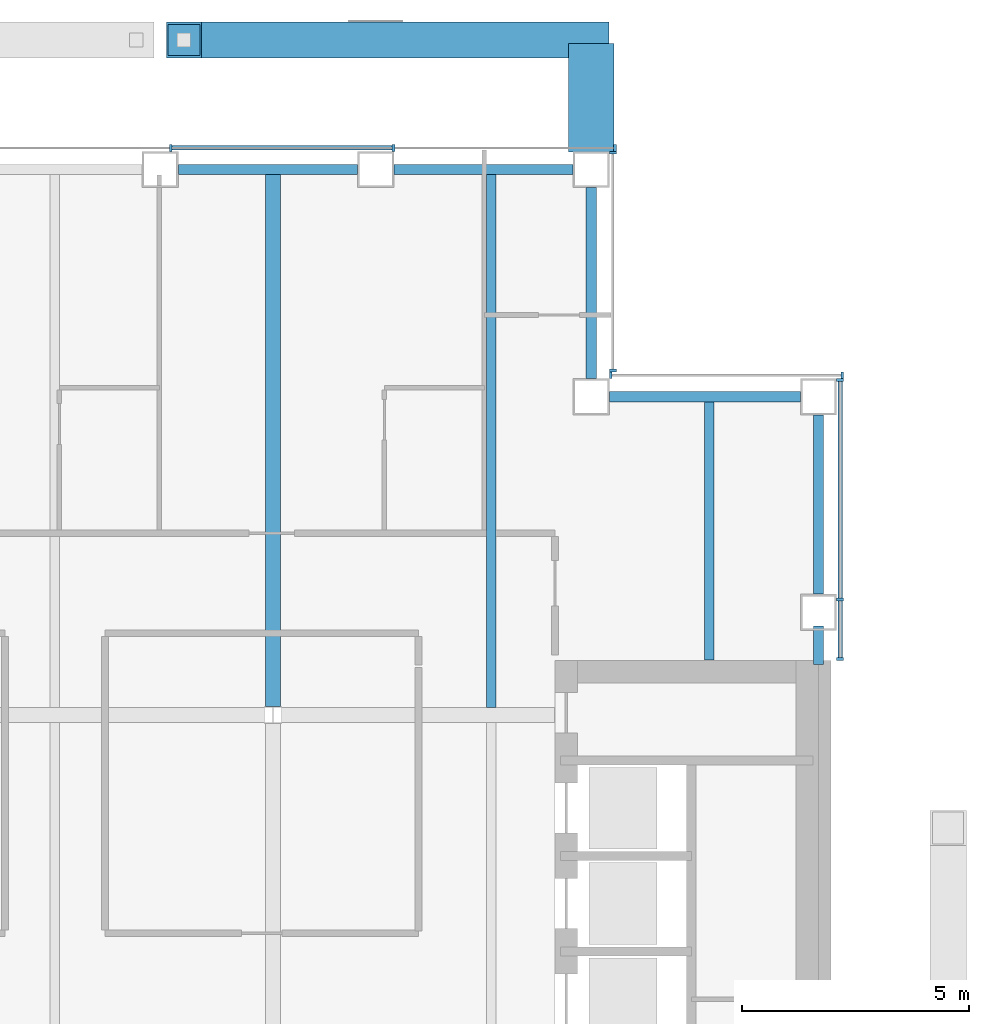
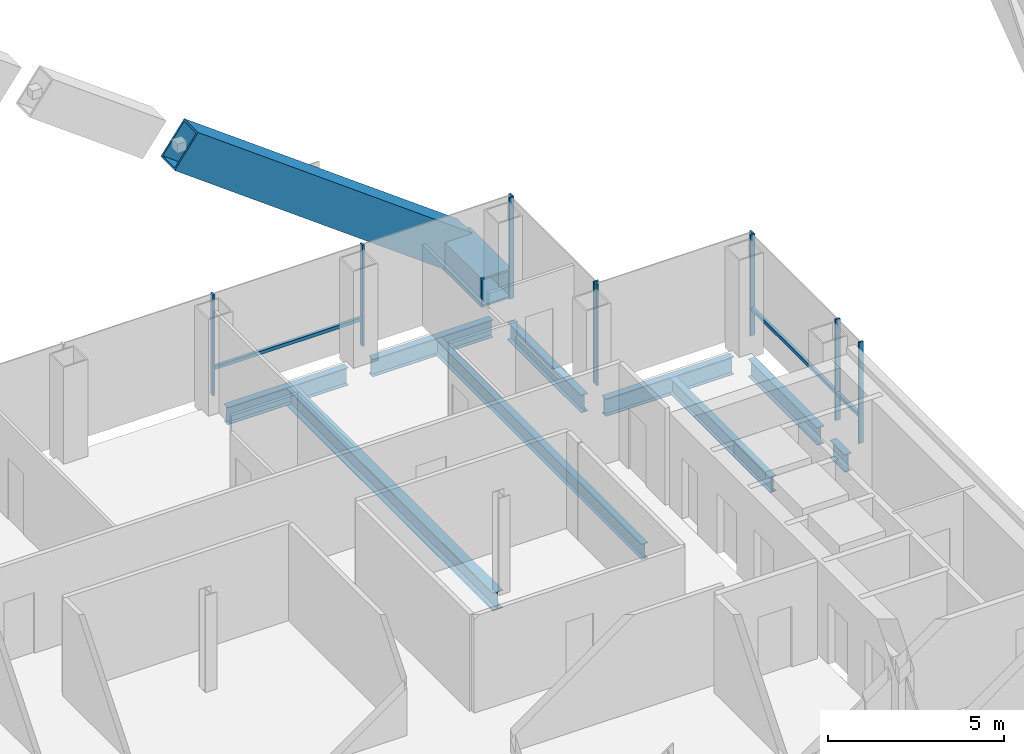
# One storey, part 10 of 17: 14 members, 10 beams, 4 elements without a shape of their own.
"""IFC4 building model written with IfcOpenShell, lengths in metres."""

from ifc_helpers import new_model, si_unit, direction, frame, origin, origin_2d, place, context, subcontext, project, spatial, rectangle, hollow_rectangle, i_section, extrude, material, material_profile, profile_set, type_object, element, aggregate, save


model = new_model("IFC4")

# Units and contexts
model_context = context("Model", 3, precision=1e-05, world=origin(), true_north=direction((0.0, 1.0)))
body_context = subcontext(model_context, "Body", "Model", "MODEL_VIEW")
ifc_project = project(units=[si_unit("LENGTHUNIT", "METRE"), si_unit("AREAUNIT", "SQUARE_METRE"), si_unit("VOLUMEUNIT", "CUBIC_METRE"), si_unit("PLANEANGLEUNIT", "RADIAN"), si_unit("MASSUNIT", "GRAM", prefix="KILO")], contexts=[model_context])

# Site, building, storey
site_placement = place(None, origin())
site = spatial("IfcSite", under=ifc_project, at=site_placement, CompositionType="ELEMENT")
building_placement = place(site_placement, origin())
building = spatial("IfcBuilding", under=site, at=building_placement, Name="Cobrizo Arcos Hotel Tower", CompositionType="ELEMENT")
storey_placement = place(building_placement, frame((0.0, 0.0, 151.5)))
storey = spatial("IfcBuildingStorey", under=building, at=storey_placement, Name="L38", CompositionType="ELEMENT", Elevation=151.5)

# Beam
ifc_material_1 = material(Name="Steel ASTM A572 Grade 50", Category="steel")
ifc_material_profile_1 = material_profile(ifc_material_1, hollow_rectangle(XDim=1.0, YDim=1.0, WallThickness=0.06005859375, at=origin_2d()), Name="BOX 1000X1000X60")
ifc_profile_set_1 = profile_set([ifc_material_profile_1], Name="Steel ASTM A572 Grade 50")
beam_type_1 = type_object("IfcBeamType", Name="BOX 1000X1000X60 brace connector strut", PredefinedType="BEAM", material=ifc_profile_set_1)
beam_1_placement = place(storey_placement, frame((16.60009765625, 21.989990234375, 0.5), z_axis=(0.0, 1.0, 0.0), x_axis=(-1.0, 0.0, 0.0)))
element("IfcBeam", 1, at=beam_1_placement, inside=storey, type_object=beam_type_1, Name="Perimeter brace stub BS1, zone Z3, north face, offset +16.60 m, L38", PredefinedType="BEAM", context=body_context, shape_type="SweptSolid", body=[
    extrude(hollow_rectangle(XDim=1.0, YDim=1.0, WallThickness=0.06005859375, at=origin_2d()), origin(), (0.0, 0.0, 1.0), 2.380126953125),
])

# Member
ifc_material_profile_2 = material_profile(ifc_material_1, hollow_rectangle(XDim=0.800048828125, YDim=1.300048828125, WallThickness=0.06005859375, at=origin_2d()), Name="BOX 800X1300X60")
ifc_profile_set_2 = profile_set([ifc_material_profile_2], Name="Steel ASTM A572 Grade 50")
member_type_1 = type_object("IfcMemberType", Name="BOX 800X1300X60 perimeter brace", PredefinedType="BRACE", material=ifc_profile_set_2)
member_1_placement = place(storey_placement, frame((16.60009765625, 24.449951171875, 0.5), z_axis=(-0.804628681962, 0.0, 0.593778312305), x_axis=(0.0, -1.0, 0.0)))
element("IfcMember", 2, at=member_1_placement, inside=storey, type_object=member_type_1, Name="Perimeter brace PBR3, zone Z3, north face, no. 06", PredefinedType="BRACE", context=body_context, shape_type="SweptSolid", body=[
    extrude(hollow_rectangle(XDim=0.800048828125, YDim=1.300048828125, WallThickness=0.06005859375, at=origin_2d()), origin(), (0.0, 0.0, 1.0), 11.138916015625),
])

# Curtain wall, members
ifc_material_2 = material(Name="Aluminium 6063-T6 anodised bronze", Category="aluminium")
curtain_wall_type = type_object("IfcCurtainWallType", Name="CW-A guest facade", PredefinedType="NOTDEFINED", material=ifc_material_2)
curtain_wall_1_placement = place(storey_placement, origin())
curtain_wall_1 = element("IfcCurtainWall", 3, at=curtain_wall_1_placement, inside=storey, type_object=curtain_wall_type, Name="CW-A L38 E face", PredefinedType="NOTDEFINED")
ifc_material_profile_3 = material_profile(ifc_material_2, rectangle(XDim=0.14990234375, YDim=0.06005859375, at=origin_2d()), Name="CW-A mullion 150x60")
ifc_profile_set_3 = profile_set([ifc_material_profile_3], Name="Aluminium 6063-T6 anodised bronze")
member_type_2 = type_object("IfcMemberType", Name="CW-A mullion 150x60", PredefinedType="MULLION", material=ifc_profile_set_3)
member_2_placement = place(storey_placement, frame((22.074951171875, 10.830078125, 0.0), z_axis=(0.0, 0.0, 1.0), x_axis=(1.0, 0.0, 0.0)))
member_2 = element("IfcMember", 4, at=member_2_placement, type_object=member_type_2, Name="CW-A mullion 1", PredefinedType="MULLION", context=body_context, shape_type="SweptSolid", body=[
    extrude(rectangle(XDim=0.14990234375, YDim=0.06005859375, at=origin_2d()), origin(), (0.0, 0.0, 1.0), 3.5),
])
member_3_placement = place(storey_placement, frame((22.074951171875, 12.142822265625, 0.0), z_axis=(0.0, 0.0, 1.0), x_axis=(1.0, 0.0, 0.0)))
member_3 = element("IfcMember", 5, at=member_3_placement, type_object=member_type_2, Name="CW-A mullion 2", PredefinedType="MULLION", context=body_context, shape_type="SweptSolid", body=[
    extrude(rectangle(XDim=0.14990234375, YDim=0.06005859375, at=origin_2d()), origin(), (0.0, 0.0, 1.0), 3.5),
])
member_4_placement = place(storey_placement, frame((22.074951171875, 16.969970703125, 0.0), z_axis=(0.0, 0.0, 1.0), x_axis=(1.0, 0.0, 0.0)))
member_4 = element("IfcMember", 6, at=member_4_placement, type_object=member_type_2, Name="CW-A mullion 3", PredefinedType="MULLION", context=body_context, shape_type="SweptSolid", body=[
    extrude(rectangle(XDim=0.14990234375, YDim=0.06005859375, at=origin_2d()), origin(), (0.0, 0.0, 1.0), 3.5),
])

curtain_wall_2_placement = place(storey_placement, origin())
curtain_wall_2 = element("IfcCurtainWall", 7, at=curtain_wall_2_placement, inside=storey, type_object=curtain_wall_type, Name="CW-A L38 N face", PredefinedType="NOTDEFINED")
member_5_placement = place(storey_placement, frame((22.1201171875, 17.074951171875, 0.0), z_axis=(0.0, 0.0, 1.0), x_axis=(0.0, 1.0, 0.0)))
member_5 = element("IfcMember", 8, at=member_5_placement, type_object=member_type_2, Name="CW-A mullion 1", PredefinedType="MULLION", context=body_context, shape_type="SweptSolid", body=[
    extrude(rectangle(XDim=0.14990234375, YDim=0.06005859375, at=origin_2d()), origin(), (0.0, 0.0, 1.0), 3.5),
])
member_6_placement = place(storey_placement, frame((17.030029296875, 17.074951171875, 0.0), z_axis=(0.0, 0.0, 1.0), x_axis=(0.0, 1.0, 0.0)))
member_6 = element("IfcMember", 9, at=member_6_placement, type_object=member_type_2, Name="CW-A mullion 2", PredefinedType="MULLION", context=body_context, shape_type="SweptSolid", body=[
    extrude(rectangle(XDim=0.14990234375, YDim=0.06005859375, at=origin_2d()), origin(), (0.0, 0.0, 1.0), 3.5),
])
aggregate(curtain_wall_2, [member_5, member_6])

curtain_wall_3_placement = place(storey_placement, origin())
curtain_wall_3 = element("IfcCurtainWall", 10, at=curtain_wall_3_placement, inside=storey, type_object=curtain_wall_type, Name="CW-A L38 E face", PredefinedType="NOTDEFINED")
member_7_placement = place(storey_placement, frame((17.074951171875, 17.179931640625, 0.0), z_axis=(0.0, 0.0, 1.0), x_axis=(1.0, 0.0, 0.0)))
member_7 = element("IfcMember", 11, at=member_7_placement, type_object=member_type_2, Name="CW-A mullion 1", PredefinedType="MULLION", context=body_context, shape_type="SweptSolid", body=[
    extrude(rectangle(XDim=0.14990234375, YDim=0.06005859375, at=origin_2d()), origin(), (0.0, 0.0, 1.0), 3.5),
])
member_8_placement = place(storey_placement, frame((17.074951171875, 21.969970703125, 0.0), z_axis=(0.0, 0.0, 1.0), x_axis=(1.0, 0.0, 0.0)))
member_8 = element("IfcMember", 12, at=member_8_placement, type_object=member_type_2, Name="CW-A mullion 2", PredefinedType="MULLION", context=body_context, shape_type="SweptSolid", body=[
    extrude(rectangle(XDim=0.14990234375, YDim=0.06005859375, at=origin_2d()), origin(), (0.0, 0.0, 1.0), 3.5),
])
aggregate(curtain_wall_3, [member_7, member_8])

curtain_wall_4_placement = place(storey_placement, origin())
curtain_wall_4 = element("IfcCurtainWall", 13, at=curtain_wall_4_placement, inside=storey, type_object=curtain_wall_type, Name="CW-A L38 N face", PredefinedType="NOTDEFINED")
member_9_placement = place(storey_placement, frame((17.1201171875, 22.074951171875, 0.0), z_axis=(0.0, 0.0, 1.0), x_axis=(0.0, 1.0, 0.0)))
member_9 = element("IfcMember", 14, at=member_9_placement, type_object=member_type_2, Name="CW-A mullion 1", PredefinedType="MULLION", context=body_context, shape_type="SweptSolid", body=[
    extrude(rectangle(XDim=0.14990234375, YDim=0.06005859375, at=origin_2d()), origin(), (0.0, 0.0, 1.0), 3.5),
])
member_10_placement = place(storey_placement, frame((12.25, 22.074951171875, 0.0), z_axis=(0.0, 0.0, 1.0), x_axis=(0.0, 1.0, 0.0)))
member_10 = element("IfcMember", 15, at=member_10_placement, type_object=member_type_2, Name="CW-A mullion 2", PredefinedType="MULLION", context=body_context, shape_type="SweptSolid", body=[
    extrude(rectangle(XDim=0.14990234375, YDim=0.06005859375, at=origin_2d()), origin(), (0.0, 0.0, 1.0), 3.5),
])
member_11_placement = place(storey_placement, frame((7.35009765625, 22.074951171875, 0.0), z_axis=(0.0, 0.0, 1.0), x_axis=(0.0, 1.0, 0.0)))
member_11 = element("IfcMember", 16, at=member_11_placement, type_object=member_type_2, Name="CW-A mullion 3", PredefinedType="MULLION", context=body_context, shape_type="SweptSolid", body=[
    extrude(rectangle(XDim=0.14990234375, YDim=0.06005859375, at=origin_2d()), origin(), (0.0, 0.0, 1.0), 3.5),
])

# Member
ifc_material_profile_4 = material_profile(ifc_material_2, rectangle(XDim=0.10009765625, YDim=0.1201171875, at=origin_2d()), Name="CW-A transom 120x100")
ifc_profile_set_4 = profile_set([ifc_material_profile_4], Name="Aluminium 6063-T6 anodised bronze")
member_type_3 = type_object("IfcMemberType", Name="CW-A transom 120x100", PredefinedType="USERDEFINED", material=ifc_profile_set_4)
member_12_placement = place(storey_placement, frame((22.074951171875, 10.860107421875, 0.929931640625), z_axis=(0.0, 1.0, 0.0), x_axis=(-1.0, 0.0, 0.0)))
member_12 = element("IfcMember", 17, at=member_12_placement, type_object=member_type_3, Name="CW-A transom 1377", ObjectType="TRANSOM", PredefinedType="USERDEFINED", context=body_context, shape_type="SweptSolid", body=[
    extrude(rectangle(XDim=0.10009765625, YDim=0.1201171875, at=origin_2d()), origin(), (0.0, 0.0, 1.0), 1.252685546875),
])

member_13_placement = place(storey_placement, frame((22.074951171875, 12.1728515625, 0.929931640625), z_axis=(0.0, 1.0, 0.0), x_axis=(-1.0, 0.0, 0.0)))
member_13 = element("IfcMember", 18, at=member_13_placement, type_object=member_type_3, Name="CW-A transom 1378", ObjectType="TRANSOM", PredefinedType="USERDEFINED", context=body_context, shape_type="SweptSolid", body=[
    extrude(rectangle(XDim=0.10009765625, YDim=0.1201171875, at=origin_2d()), origin(), (0.0, 0.0, 1.0), 4.76708984375),
])

aggregate(curtain_wall_1, [member_2, member_3, member_4, member_12, member_13])

member_14_placement = place(storey_placement, frame((12.219970703125, 22.074951171875, 0.929931640625), z_axis=(-1.0, 0.0, 0.0), x_axis=(0.0, -1.0, 0.0)))
member_14 = element("IfcMember", 19, at=member_14_placement, type_object=member_type_3, Name="CW-A transom 1382", ObjectType="TRANSOM", PredefinedType="USERDEFINED", context=body_context, shape_type="SweptSolid", body=[
    extrude(rectangle(XDim=0.10009765625, YDim=0.1201171875, at=origin_2d()), origin(), (0.0, 0.0, 1.0), 4.840087890625),
])

aggregate(curtain_wall_4, [member_9, member_10, member_11, member_14])

# Beams
ifc_material_3 = material(Name="Steel ASTM A992 Grade 50", Category="steel")
ifc_material_profile_5 = material_profile(ifc_material_3, i_section(OverallWidth=0.209228515625, OverallDepth=0.533447265625, WebThickness=0.01025390625, FlangeThickness=0.015625, at=origin_2d()), Name="W21X62")
ifc_profile_set_5 = profile_set([ifc_material_profile_5], Name="Steel ASTM A992 Grade 50")
beam_type_2 = type_object("IfcBeamType", Name="W21X62 joist", PredefinedType="JOIST", material=ifc_profile_set_5)
beam_2_placement = place(storey_placement, frame((14.39990234375, 9.763916015625, -0.416748046875), z_axis=(0.0, 1.0, 0.0), x_axis=(-1.0, 0.0, 0.0)))
element("IfcBeam", 20, at=beam_2_placement, inside=storey, type_object=beam_type_2, Name="Floor joist J1, L38, no. 018", PredefinedType="JOIST", context=body_context, shape_type="SweptSolid", body=[
    extrude(i_section(OverallWidth=0.209228515625, OverallDepth=0.533447265625, WebThickness=0.01025390625, FlangeThickness=0.015625, at=origin_2d()), origin(), (0.0, 0.0, 1.0), 11.74609375),
])
beam_3_placement = place(storey_placement, frame((19.199951171875, 10.81005859375, -0.416748046875), z_axis=(0.0, 1.0, 0.0), x_axis=(-1.0, 0.0, 0.0)))
element("IfcBeam", 21, at=beam_3_placement, inside=storey, type_object=beam_type_2, Name="Floor joist J1, L38, no. 020", PredefinedType="JOIST", context=body_context, shape_type="SweptSolid", body=[
    extrude(i_section(OverallWidth=0.209228515625, OverallDepth=0.533447265625, WebThickness=0.01025390625, FlangeThickness=0.015625, at=origin_2d()), origin(), (0.0, 0.0, 1.0), 5.699951171875),
])
ifc_material_profile_6 = material_profile(ifc_material_3, i_section(OverallWidth=0.32763671875, OverallDepth=0.622314453125, WebThickness=0.015380859375, FlangeThickness=0.0244140625, at=origin_2d()), Name="W24X131")
ifc_profile_set_6 = profile_set([ifc_material_profile_6], Name="Steel ASTM A992 Grade 50")
beam_type_3 = type_object("IfcBeamType", Name="W24X131 girder", PredefinedType="BEAM", material=ifc_profile_set_6)
beam_4_placement = place(storey_placement, frame((9.60009765625, 9.78662109375, -0.461181640625), z_axis=(0.0, 1.0, 0.0), x_axis=(-1.0, 0.0, 0.0)))
element("IfcBeam", 22, at=beam_4_placement, inside=storey, type_object=beam_type_3, Name="Floor girder G1, L38, no. 024", PredefinedType="BEAM", context=body_context, shape_type="SweptSolid", body=[
    extrude(i_section(OverallWidth=0.32763671875, OverallDepth=0.622314453125, WebThickness=0.015380859375, FlangeThickness=0.0244140625, at=origin_2d()), origin(), (0.0, 0.0, 1.0), 11.723388671875),
])
ifc_material_profile_7 = material_profile(ifc_material_3, i_section(OverallWidth=0.228271484375, OverallDepth=0.607177734375, WebThickness=0.01123046875, FlangeThickness=0.017333984375, at=origin_2d()), Name="W24X76")
ifc_profile_set_7 = profile_set([ifc_material_profile_7], Name="Steel ASTM A992 Grade 50")
beam_type_4 = type_object("IfcBeamType", Name="W24X76 spandrel", PredefinedType="SPANDREL", material=ifc_profile_set_7)
beam_5_placement = place(storey_placement, frame((21.60009765625, 10.7099609375, -0.45361328125), z_axis=(0.0, 1.0, 0.0), x_axis=(-1.0, 0.0, 0.0)))
element("IfcBeam", 23, at=beam_5_placement, inside=storey, type_object=beam_type_4, Name="Spandrel beam W24X76, L38, no. 012", PredefinedType="SPANDREL", context=body_context, shape_type="SweptSolid", body=[
    extrude(i_section(OverallWidth=0.228271484375, OverallDepth=0.607177734375, WebThickness=0.01123046875, FlangeThickness=0.017333984375, at=origin_2d()), origin(), (0.0, 0.0, 1.0), 0.846923828125),
])
beam_6_placement = place(storey_placement, frame((21.60009765625, 12.257080078125, -0.45361328125), z_axis=(0.0, 1.0, 0.0), x_axis=(-1.0, 0.0, 0.0)))
element("IfcBeam", 24, at=beam_6_placement, inside=storey, type_object=beam_type_4, Name="Spandrel beam W24X76, L38, no. 013", PredefinedType="SPANDREL", context=body_context, shape_type="SweptSolid", body=[
    extrude(i_section(OverallWidth=0.228271484375, OverallDepth=0.607177734375, WebThickness=0.01123046875, FlangeThickness=0.017333984375, at=origin_2d()), origin(), (0.0, 0.0, 1.0), 3.94287109375),
])
for number, where, z_axis, x_axis, name in (
    (25, (21.199951171875, 16.60009765625, -0.45361328125), (-1.0, 0.0, 0.0), (0.0, -1.0, 0.0), "Spandrel beam W24X76, L38, no. 014"),
    (26, (16.60009765625, 17.0, -0.45361328125), (0.0, 1.0, 0.0), (-1.0, 0.0, 0.0), "Spandrel beam W24X76, L38, no. 015"),
):
    element("IfcBeam", number, at=place(storey_placement, frame(where, z_axis=z_axis, x_axis=x_axis)), inside=storey, type_object=beam_type_4, Name=name, PredefinedType="SPANDREL", context=body_context, shape_type="SweptSolid", body=[
        extrude(i_section(OverallWidth=0.228271484375, OverallDepth=0.607177734375, WebThickness=0.01123046875, FlangeThickness=0.017333984375, at=origin_2d()), origin(), (0.0, 0.0, 1.0), 4.199951171875),
    ])
beam_7_placement = place(storey_placement, frame((16.199951171875, 21.60009765625, -0.45361328125), z_axis=(-1.0, 0.0, 0.0), x_axis=(0.0, -1.0, 0.0)))
element("IfcBeam", 27, at=beam_7_placement, inside=storey, type_object=beam_type_4, Name="Spandrel beam W24X76, L38, no. 016", PredefinedType="SPANDREL", context=body_context, shape_type="SweptSolid", body=[
    extrude(i_section(OverallWidth=0.228271484375, OverallDepth=0.607177734375, WebThickness=0.01123046875, FlangeThickness=0.017333984375, at=origin_2d()), origin(), (0.0, 0.0, 1.0), 3.94287109375),
])
beam_8_placement = place(storey_placement, frame((11.45703125, 21.60009765625, -0.45361328125), z_axis=(-1.0, 0.0, 0.0), x_axis=(0.0, -1.0, 0.0)))
element("IfcBeam", 28, at=beam_8_placement, inside=storey, type_object=beam_type_4, Name="Spandrel beam W24X76, L38, no. 017", PredefinedType="SPANDREL", context=body_context, shape_type="SweptSolid", body=[
    extrude(i_section(OverallWidth=0.228271484375, OverallDepth=0.607177734375, WebThickness=0.01123046875, FlangeThickness=0.017333984375, at=origin_2d()), origin(), (0.0, 0.0, 1.0), 3.943115234375),
])

save(model, "model.ifc")
